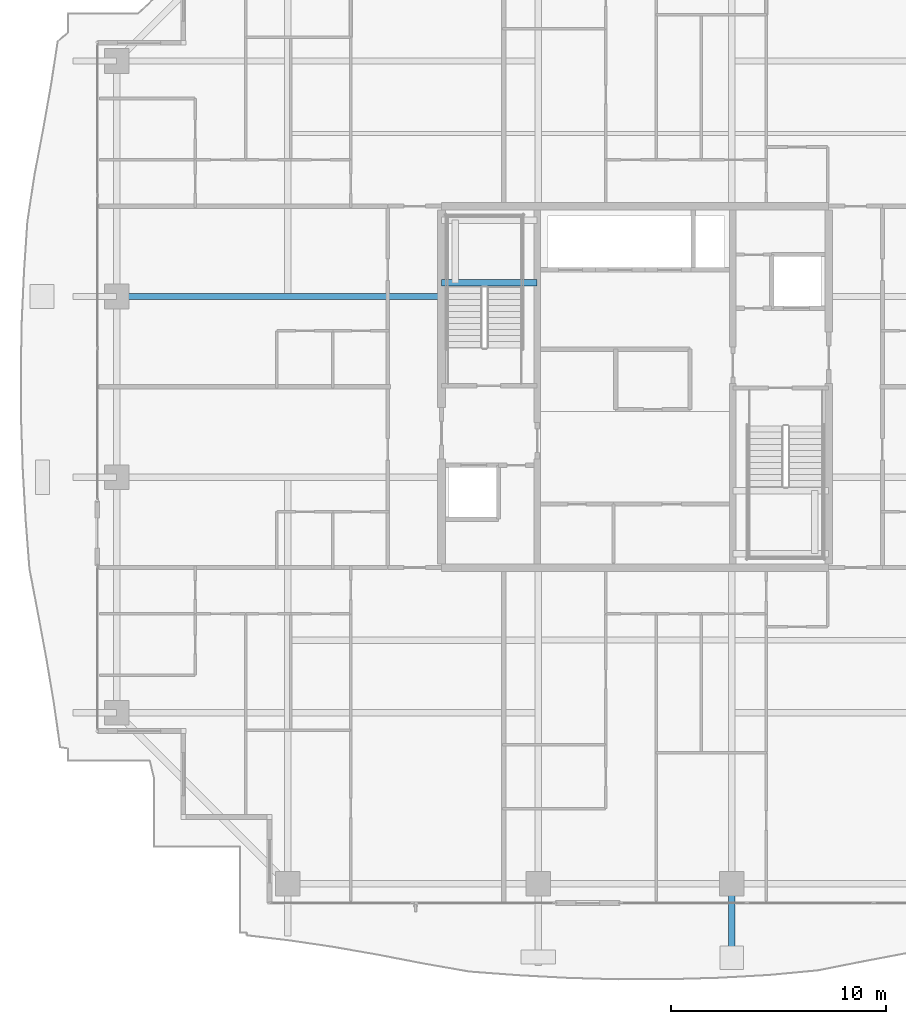
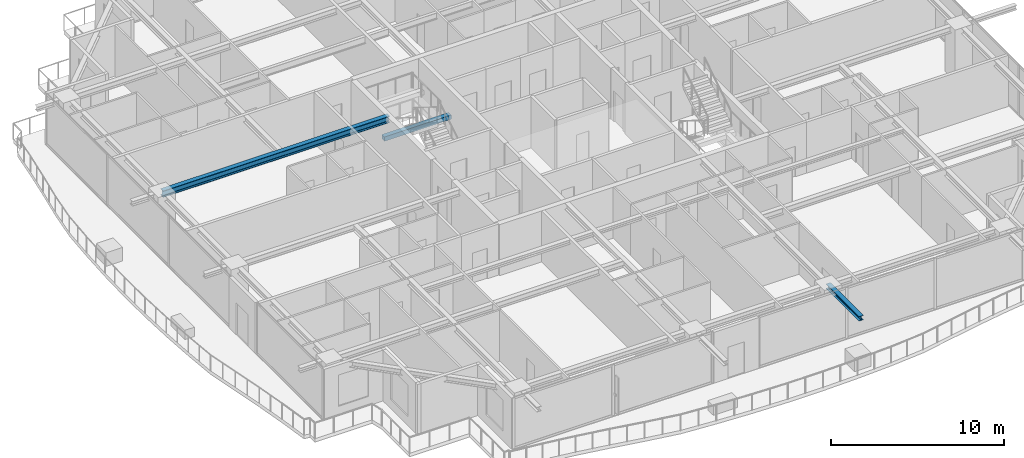
# One storey, part 10 of 38: 3 beams.
"""IFC4 building model written with IfcOpenShell, lengths in metres."""

from ifc_helpers import new_model, si_unit, direction, frame, origin, origin_2d, place, context, subcontext, project, spatial, rectangle, i_section, extrude, source, transform, mapped, material, material_profile, profile_set, type_object, element, save


model = new_model("IFC4")

# Units and contexts
model_context = context("Model", 3, precision=1e-05, world=origin(), true_north=direction((0.0, 1.0)))
body_context = subcontext(model_context, "Body", "Model", "MODEL_VIEW")
ifc_project = project(units=[si_unit("LENGTHUNIT", "METRE"), si_unit("AREAUNIT", "SQUARE_METRE"), si_unit("VOLUMEUNIT", "CUBIC_METRE"), si_unit("PLANEANGLEUNIT", "RADIAN"), si_unit("MASSUNIT", "GRAM", prefix="KILO")], contexts=[model_context])

# Site, building, storey
site_placement = place(None, origin())
site = spatial("IfcSite", under=ifc_project, at=site_placement, CompositionType="ELEMENT")
building_placement = place(site_placement, origin())
building = spatial("IfcBuilding", under=site, at=building_placement, Name="Serunith Strait Residences", CompositionType="ELEMENT")
storey_placement = place(building_placement, frame((0.0, 0.0, 241.25)))
storey = spatial("IfcBuildingStorey", under=building, at=storey_placement, Name="L60", CompositionType="ELEMENT", Elevation=241.25)

# Beams
ifc_material_1 = material(Name="Steel S355J2", Category="steel")
ifc_material_profile_1 = material_profile(ifc_material_1, i_section(OverallWidth=0.300048828125, OverallDepth=0.449951171875, WebThickness=0.013916015625, FlangeThickness=0.02587890625, FilletRadius=0.027099609375, at=origin_2d()), Name="HEB 450")
ifc_profile_set_1 = profile_set([ifc_material_profile_1], Name="Steel S355J2")
beam_type_1 = type_object("IfcBeamType", Name="BM-HEB450", PredefinedType="BEAM", material=ifc_profile_set_1)
shared_shape_1 = source(origin(), body_context, "Body", "SweptSolid", [
    extrude(i_section(OverallWidth=0.300048828125, OverallDepth=0.449951171875, WebThickness=0.013916015625, FlangeThickness=0.02587890625, FilletRadius=0.027099609375, at=origin_2d()), origin(), (0.0, 0.0, 1.0), 15.099853515625),
])
beam_1_placement = place(storey_placement, frame((23.39990234375, 29.39990234375, 3.362060546875), z_axis=(-1.0, 0.0, 0.0), x_axis=(0.0, -1.0, 0.0)))
element("IfcBeam", 1, at=beam_1_placement, inside=storey, type_object=beam_type_1, Name="L60 Primary Floor Girder TC-W3", PredefinedType="BEAM", context=body_context, shape_type="MappedRepresentation", body=[
    mapped(shared_shape_1, transform((0.0, 0.0, 0.0), scale=1.0)),
])
ifc_material_profile_2 = material_profile(ifc_material_1, i_section(OverallWidth=0.300048828125, OverallDepth=0.320068359375, WebThickness=0.011474609375, FlangeThickness=0.0205078125, FilletRadius=0.027099609375, at=origin_2d()), Name="HEB 320")
ifc_profile_set_2 = profile_set([ifc_material_profile_2], Name="Steel S355J2")
beam_type_2 = type_object("IfcBeamType", Name="BM-HEB320", PredefinedType="BEAM", material=ifc_profile_set_2)
shared_shape_2 = source(origin(), body_context, "Body", "SweptSolid", [
    extrude(i_section(OverallWidth=0.300048828125, OverallDepth=0.320068359375, WebThickness=0.011474609375, FlangeThickness=0.0205078125, FilletRadius=0.027099609375, at=origin_2d()), origin(), (0.0, 0.0, 1.0), 3.800048828125),
])
beam_2_placement = place(storey_placement, frame((36.89990234375, 2.10009765625, 3.39697265625), z_axis=(0.0, -1.0, 0.0), x_axis=(1.0, 0.0, 0.0)))
element("IfcBeam", 2, at=beam_2_placement, inside=storey, type_object=beam_type_2, Name="L61 Cantilevered Balcony Rib TC-S3", PredefinedType="BEAM", context=body_context, shape_type="MappedRepresentation", body=[
    mapped(shared_shape_2, transform((0.0, 0.0, 0.0), scale=1.0)),
])
ifc_material_2 = material(Name="Concrete C60/75", Category="concrete")
ifc_material_profile_3 = material_profile(ifc_material_2, rectangle(XDim=0.300048828125, YDim=0.300048828125, at=origin_2d()), Name="RC 300x300")
ifc_profile_set_3 = profile_set([ifc_material_profile_3], Name="Concrete C60/75")
beam_type_3 = type_object("IfcBeamType", Name="BM-LAND-300x300", PredefinedType="BEAM", material=ifc_profile_set_3)
shared_shape_3 = source(origin(), body_context, "Body", "SweptSolid", [
    extrude(rectangle(XDim=0.300048828125, YDim=0.300048828125, at=origin_2d()), origin(), (0.0, 0.0, 1.0), 4.4501953125),
])
beam_3_placement = place(storey_placement, frame((23.39990234375, 30.030029296875, 1.574951171875), z_axis=(1.0, 0.0, 0.0), x_axis=(0.0, 1.0, 0.0)))
element("IfcBeam", 3, at=beam_3_placement, inside=storey, type_object=beam_type_3, Name="L60 ST-1 Landing Support Beam 1", PredefinedType="BEAM", context=body_context, shape_type="MappedRepresentation", body=[
    mapped(shared_shape_3, transform((0.0, 0.0, 0.0), scale=1.0)),
])

save(model, "model.ifc")
